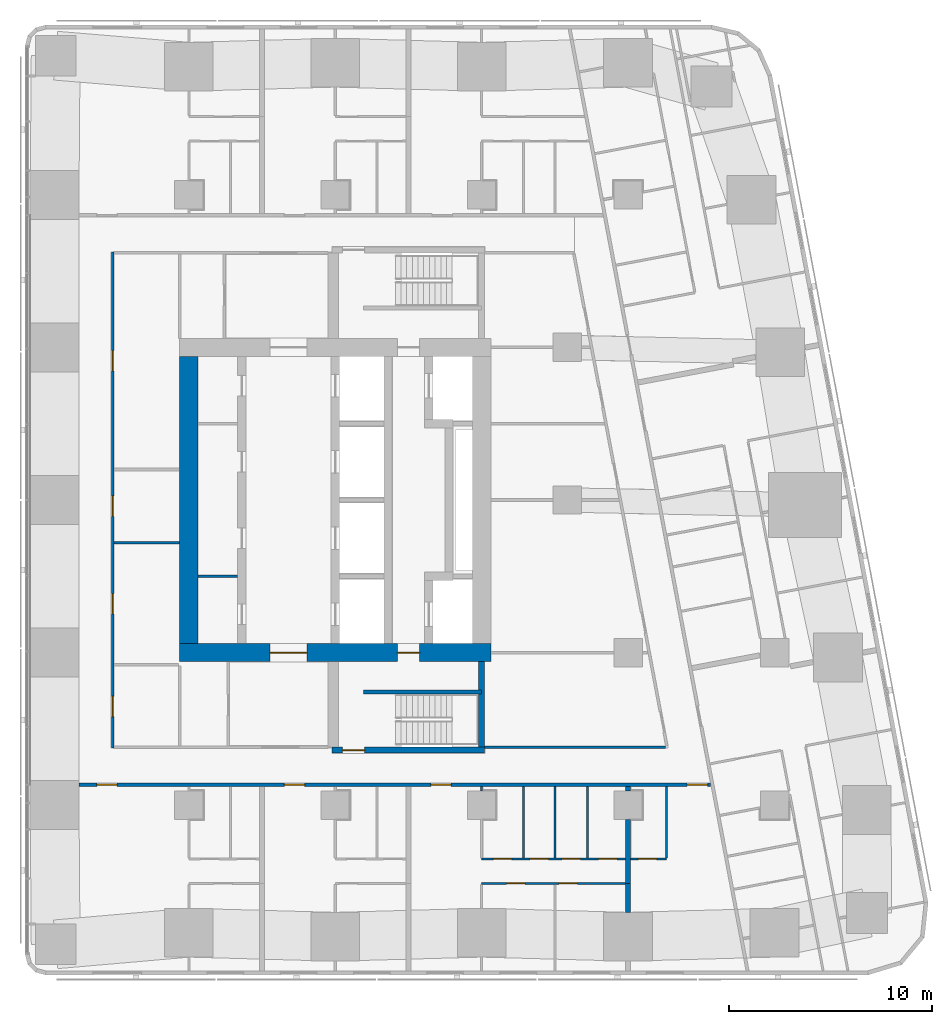
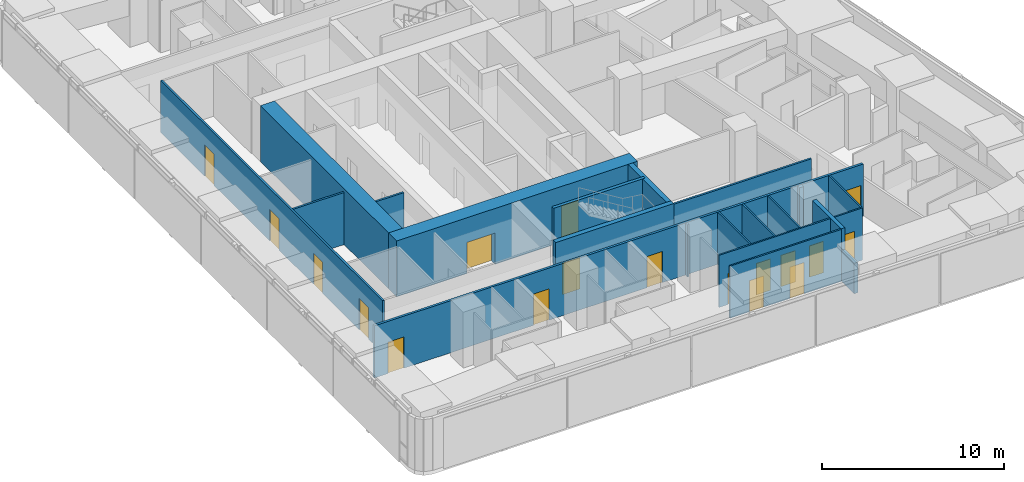
# One storey, part 8 of 17: 21 walls, 18 doors, 18 openings.
"""IFC4 building model written with IfcOpenShell, lengths in metres."""

from ifc_helpers import new_model, si_unit, direction, frame, frame_2d, origin, place, context, subcontext, project, spatial, rectangle, extrude, material, layer, layer_set, type_object, element, fill, save


model = new_model("IFC4")

# Units and contexts
model_context = context("Model", 3, precision=1e-05, world=origin(), true_north=direction((0.0, 1.0)))
body_context = subcontext(model_context, "Body", "Model", "MODEL_VIEW")
ifc_project = project(units=[si_unit("LENGTHUNIT", "METRE"), si_unit("AREAUNIT", "SQUARE_METRE"), si_unit("VOLUMEUNIT", "CUBIC_METRE"), si_unit("PLANEANGLEUNIT", "RADIAN"), si_unit("MASSUNIT", "GRAM", prefix="KILO")], contexts=[model_context])

# Site, building, storey
site_placement = place(None, origin())
site = spatial("IfcSite", under=ifc_project, at=site_placement, CompositionType="ELEMENT")
building_placement = place(site_placement, origin())
building = spatial("IfcBuilding", under=site, at=building_placement, Name="Sheger Commons Tower", CompositionType="ELEMENT")
storey_placement = place(building_placement, frame((0.0, 0.0, 212.449951171875)))
storey = spatial("IfcBuildingStorey", under=building, at=storey_placement, Name="L54", CompositionType="ELEMENT", Elevation=212.449951171875)

# Wall, openings, doors
ifc_material_1 = material(Name="Concrete C50/60", Category="concrete")
ifc_layer_1 = layer(ifc_material_1, 0.89990234375)
ifc_layer_set_1 = layer_set([ifc_layer_1], Name="CORE WALL 900")
wall_type_1 = type_object("IfcWallType", Name="CORE WALL 900", PredefinedType="SHEAR", material=ifc_layer_set_1)
wall_1_placement = place(storey_placement, frame((13.949951171875, 15.0, 0.0), z_axis=(0.0, 0.0, 1.0), x_axis=(1.0, 0.0, 0.0)))
wall_1 = element("IfcWall", 1, at=wall_1_placement, inside=storey, type_object=wall_type_1, Name="Core wall south L54", PredefinedType="SHEAR", context=body_context, shape_type="SweptSolid", body=[
    extrude(rectangle(XDim=15.300048828125, YDim=0.89990234375, at=frame_2d((7.64990234375, 0.0))), origin(), (0.0, 0.0, 1.0), 3.75),
])
opening_1_placement = place(wall_1_placement, frame((4.449951171875, 0.0, 0.0)))
opening_1 = element("IfcOpeningElement", 2, at=opening_1_placement, cuts=wall_1, Name="Opening D6", PredefinedType="OPENING", context=body_context, shape_type="SweptSolid", body=[
    extrude(rectangle(XDim=1.800048828125, YDim=2.10009765625, at=frame_2d((0.89990234375, 1.050048828125))), frame((0.0, 0.4599609375, 0.0), z_axis=(0.0, -1.0, 0.0), x_axis=(1.0, 0.0, 0.0)), (0.0, 0.0, 1.0), 0.919921875),
])
opening_2_placement = place(wall_1_placement, frame((10.699951171875, 0.0, 0.0)))
opening_2 = element("IfcOpeningElement", 3, at=opening_2_placement, cuts=wall_1, Name="Opening D5", PredefinedType="OPENING", context=body_context, shape_type="SweptSolid", body=[
    extrude(rectangle(XDim=1.10009765625, YDim=2.10009765625, at=frame_2d((0.550048828125, 1.050048828125))), frame((0.0, 0.4599609375, 0.0), z_axis=(0.0, -1.0, 0.0), x_axis=(1.0, 0.0, 0.0)), (0.0, 0.0, 1.0), 0.919921875),
])
ifc_material_2 = material(Name="Steel door set, fire rated", Category="steel")
door_type_1 = type_object("IfcDoorType", Name="LOBBY DOUBLE DOOR 1800x2100", OperationType="DOUBLE_DOOR_SINGLE_SWING", PredefinedType="DOOR", material=ifc_material_2)
door_1_placement = place(opening_1_placement, origin())
door_1 = element("IfcDoor", 4, at=door_1_placement, inside=storey, type_object=door_type_1, Name="Lift lobby door", OperationType="DOUBLE_DOOR_SINGLE_SWING", OverallHeight=2.10009765625, OverallWidth=1.800048828125, PredefinedType="DOOR", context=body_context, shape_type="SweptSolid", body=[
    extrude(rectangle(XDim=1.800048828125, YDim=2.10009765625, at=frame_2d((0.89990234375, 1.050048828125))), frame((0.0, 0.02490234375, 0.0), z_axis=(0.0, -1.0, 0.0), x_axis=(1.0, 0.0, 0.0)), (0.0, 0.0, 1.0), 0.050048828125),
])
fill(opening_1, door_1)
ifc_material_3 = material(Name="Steel door set, fire rated", Category="steel")
door_type_2 = type_object("IfcDoorType", Name="STAIR DOOR 1100x2100", OperationType="NOTDEFINED", PredefinedType="DOOR", material=ifc_material_3)
door_2_placement = place(opening_2_placement, origin())
door_2 = element("IfcDoor", 5, at=door_2_placement, inside=storey, type_object=door_type_2, Name="Fire-fighting lobby door", OperationType="SINGLE_SWING_LEFT", OverallHeight=2.10009765625, OverallWidth=1.10009765625, PredefinedType="DOOR", context=body_context, shape_type="SweptSolid", body=[
    extrude(rectangle(XDim=1.10009765625, YDim=2.10009765625, at=frame_2d((0.550048828125, 1.050048828125))), frame((0.0, 0.02490234375, 0.0), z_axis=(0.0, -1.0, 0.0), x_axis=(1.0, 0.0, 0.0)), (0.0, 0.0, 1.0), 0.050048828125),
])
fill(opening_2, door_2)

# Wall
wall_2_placement = place(storey_placement, frame((14.39990234375, 15.449951171875, 0.0), z_axis=(0.0, 0.0, 1.0), x_axis=(0.0, 1.0, 0.0)))
element("IfcWall", 6, at=wall_2_placement, inside=storey, type_object=wall_type_1, Name="Core wall west L54", PredefinedType="SHEAR", context=body_context, shape_type="SweptSolid", body=[
    extrude(rectangle(XDim=14.10009765625, YDim=0.89990234375, at=frame_2d((7.050048828125, 0.0))), origin(), (0.0, 0.0, 1.0), 3.75),
])

# Wall, openings, doors
ifc_material_4 = material(Name="Hollow concrete block masonry, skimmed both sides", Category="masonry")
ifc_layer_2 = layer(ifc_material_4, 0.14990234375)
ifc_layer_set_2 = layer_set([ifc_layer_2], Name="CORRIDOR WALL 150")
wall_type_2 = type_object("IfcWallType", Name="CORRIDOR WALL 150", PredefinedType="SOLIDWALL", material=ifc_layer_set_2)
wall_3_placement = place(storey_placement, frame((40.052978515625, 8.5, 0.0), z_axis=(0.0, 0.0, 1.0), x_axis=(-1.0, 0.0, 0.0)))
wall_3 = element("IfcWall", 7, at=wall_3_placement, inside=storey, type_object=wall_type_2, Name="Corridor wall L54", PredefinedType="SOLIDWALL", context=body_context, shape_type="SweptSolid", body=[
    extrude(rectangle(XDim=31.052001953125, YDim=0.14990234375, at=frame_2d((15.52587890625, 0.0))), origin(), (0.0, 0.0, 1.0), 3.5),
])
opening_3_placement = place(wall_3_placement, frame((29.177978515625, 0.0, 0.0)))
opening_3 = element("IfcOpeningElement", 8, at=opening_3_placement, cuts=wall_3, Name="Opening D1", PredefinedType="OPENING", context=body_context, shape_type="SweptSolid", body=[
    extrude(rectangle(XDim=1.0, YDim=2.10009765625, at=frame_2d((0.5, 1.050048828125))), frame((0.0, 0.0849609375, 0.0), z_axis=(0.0, -1.0, 0.0), x_axis=(1.0, 0.0, 0.0)), (0.0, 0.0, 1.0), 0.169921875),
])
opening_4_placement = place(wall_3_placement, frame((19.952880859375, 0.0, 0.0)))
opening_4 = element("IfcOpeningElement", 9, at=opening_4_placement, cuts=wall_3, Name="Opening D1", PredefinedType="OPENING", context=body_context, shape_type="SweptSolid", body=[
    extrude(rectangle(XDim=1.0, YDim=2.10009765625, at=frame_2d((0.5, 1.050048828125))), frame((0.0, 0.0849609375, 0.0), z_axis=(0.0, -1.0, 0.0), x_axis=(1.0, 0.0, 0.0)), (0.0, 0.0, 1.0), 0.169921875),
])
opening_5_placement = place(wall_3_placement, frame((12.7529296875, 0.0, 0.0)))
opening_5 = element("IfcOpeningElement", 10, at=opening_5_placement, cuts=wall_3, Name="Opening D1", PredefinedType="OPENING", context=body_context, shape_type="SweptSolid", body=[
    extrude(rectangle(XDim=1.0, YDim=2.10009765625, at=frame_2d((0.5, 1.050048828125))), frame((0.0, 0.0849609375, 0.0), z_axis=(0.0, -1.0, 0.0), x_axis=(1.0, 0.0, 0.0)), (0.0, 0.0, 1.0), 0.169921875),
])
opening_6_placement = place(wall_3_placement, frame((0.14990234375, 0.0, 0.0)))
opening_6 = element("IfcOpeningElement", 11, at=opening_6_placement, cuts=wall_3, Name="Opening D1", PredefinedType="OPENING", context=body_context, shape_type="SweptSolid", body=[
    extrude(rectangle(XDim=1.0, YDim=2.10009765625, at=frame_2d((0.5, 1.050048828125))), frame((0.0, 0.0849609375, 0.0), z_axis=(0.0, -1.0, 0.0), x_axis=(1.0, 0.0, 0.0)), (0.0, 0.0, 1.0), 0.169921875),
])
ifc_material_5 = material(Name="Steel door set, fire rated", Category="steel")
door_type_3 = type_object("IfcDoorType", Name="FLAT ENTRANCE DOOR 1000x2100", OperationType="NOTDEFINED", PredefinedType="DOOR", material=ifc_material_5)
door_3_placement = place(opening_3_placement, origin())
door_3 = element("IfcDoor", 12, at=door_3_placement, inside=storey, type_object=door_type_3, Name="Flat entrance door", OperationType="SINGLE_SWING_RIGHT", OverallHeight=2.10009765625, OverallWidth=1.0, PredefinedType="DOOR", context=body_context, shape_type="SweptSolid", body=[
    extrude(rectangle(XDim=1.0, YDim=2.10009765625, at=frame_2d((0.5, 1.050048828125))), frame((0.0, 0.02490234375, 0.0), z_axis=(0.0, -1.0, 0.0), x_axis=(1.0, 0.0, 0.0)), (0.0, 0.0, 1.0), 0.050048828125),
])
fill(opening_3, door_3)
door_4_placement = place(opening_4_placement, origin())
door_4 = element("IfcDoor", 13, at=door_4_placement, inside=storey, type_object=door_type_3, Name="Flat entrance door", OperationType="SINGLE_SWING_RIGHT", OverallHeight=2.10009765625, OverallWidth=1.0, PredefinedType="DOOR", context=body_context, shape_type="SweptSolid", body=[
    extrude(rectangle(XDim=1.0, YDim=2.10009765625, at=frame_2d((0.5, 1.050048828125))), frame((0.0, 0.02490234375, 0.0), z_axis=(0.0, -1.0, 0.0), x_axis=(1.0, 0.0, 0.0)), (0.0, 0.0, 1.0), 0.050048828125),
])
fill(opening_4, door_4)
door_5_placement = place(opening_5_placement, origin())
door_5 = element("IfcDoor", 14, at=door_5_placement, inside=storey, type_object=door_type_3, Name="Flat entrance door", OperationType="SINGLE_SWING_RIGHT", OverallHeight=2.10009765625, OverallWidth=1.0, PredefinedType="DOOR", context=body_context, shape_type="SweptSolid", body=[
    extrude(rectangle(XDim=1.0, YDim=2.10009765625, at=frame_2d((0.5, 1.050048828125))), frame((0.0, 0.02490234375, 0.0), z_axis=(0.0, -1.0, 0.0), x_axis=(1.0, 0.0, 0.0)), (0.0, 0.0, 1.0), 0.050048828125),
])
fill(opening_5, door_5)
door_6_placement = place(opening_6_placement, origin())
door_6 = element("IfcDoor", 15, at=door_6_placement, inside=storey, type_object=door_type_3, Name="Flat entrance door", OperationType="SINGLE_SWING_LEFT", OverallHeight=2.10009765625, OverallWidth=1.0, PredefinedType="DOOR", context=body_context, shape_type="SweptSolid", body=[
    extrude(rectangle(XDim=1.0, YDim=2.10009765625, at=frame_2d((0.5, 1.050048828125))), frame((0.0, 0.02490234375, 0.0), z_axis=(0.0, -1.0, 0.0), x_axis=(1.0, 0.0, 0.0)), (0.0, 0.0, 1.0), 0.050048828125),
])
fill(opening_6, door_6)

# Walls
ifc_material_6 = material(Name="Dense concrete block masonry, plastered both sides (separating wall between flats)", Category="masonry")
ifc_layer_3 = layer(ifc_material_6, 0.25)
ifc_layer_set_3 = layer_set([ifc_layer_3], Name="DEMISING WALL 250")
wall_type_3 = type_object("IfcWallType", Name="DEMISING WALL 250", PredefinedType="SOLIDWALL", material=ifc_layer_set_3)
wall_4_placement = place(storey_placement, frame((36.0, 2.22607421875, 0.0), z_axis=(0.0, 0.0, 1.0), x_axis=(0.0, 1.0, 0.0)))
element("IfcWall", 16, at=wall_4_placement, inside=storey, type_object=wall_type_3, Name="Demising wall L54", PredefinedType="SOLIDWALL", context=body_context, shape_type="SweptSolid", body=[
    extrude(rectangle(XDim=1.423828125, YDim=0.25, at=frame_2d((0.7119140625, 0.0))), origin(), (0.0, 0.0, 1.0), 2.050048828125),
])
wall_5_placement = place(storey_placement, frame((36.0, 3.64990234375, 0.0), z_axis=(0.0, 0.0, 1.0), x_axis=(0.0, 1.0, 0.0)))
element("IfcWall", 17, at=wall_5_placement, inside=storey, type_object=wall_type_3, Name="Demising wall L54", PredefinedType="SOLIDWALL", context=body_context, shape_type="SweptSolid", body=[
    extrude(rectangle(XDim=3.149169921875, YDim=0.25, at=frame_2d((1.57470703125, 0.0))), origin(), (0.0, 0.0, 1.0), 3.5),
])
wall_6_placement = place(storey_placement, frame((36.0, 8.200927734375, 0.0), z_axis=(0.0, 0.0, 1.0), x_axis=(0.0, 1.0, 0.0)))
element("IfcWall", 18, at=wall_6_placement, inside=storey, type_object=wall_type_3, Name="Demising wall L54", PredefinedType="SOLIDWALL", context=body_context, shape_type="SweptSolid", body=[
    extrude(rectangle(XDim=0.22412109375, YDim=0.25, at=frame_2d((0.112060546875, 0.0))), origin(), (0.0, 0.0, 1.0), 3.5),
])

# Wall, openings, doors
ifc_material_7 = material(Name="Gypsum board on steel studs", Category="steel")
ifc_layer_4 = layer(ifc_material_7, 0.10009765625)
ifc_layer_set_4 = layer_set([ifc_layer_4], Name="PARTITION 100")
wall_type_4 = type_object("IfcWallType", Name="PARTITION 100", PredefinedType="PARTITIONING", material=ifc_layer_set_4)
wall_7_placement = place(storey_placement, frame((35.875, 3.64990234375, 0.0), z_axis=(0.0, 0.0, 1.0), x_axis=(-1.0, 0.0, 0.0)))
wall_7 = element("IfcWall", 19, at=wall_7_placement, inside=storey, type_object=wall_type_4, Name="Partition L54", PredefinedType="PARTITIONING", context=body_context, shape_type="SweptSolid", body=[
    extrude(rectangle(XDim=7.074951171875, YDim=0.10009765625, at=frame_2d((3.53759765625, 0.0))), origin(), (0.0, 0.0, 1.0), 3.5),
])
opening_7_placement = place(wall_7_placement, frame((4.949951171875, 0.0, 0.0)))
opening_7 = element("IfcOpeningElement", 20, at=opening_7_placement, cuts=wall_7, Name="Opening D2", PredefinedType="OPENING", context=body_context, shape_type="SweptSolid", body=[
    extrude(rectangle(XDim=0.89990234375, YDim=2.10009765625, at=frame_2d((0.449951171875, 1.050048828125))), frame((0.0, 0.06005859375, 0.0), z_axis=(0.0, -1.0, 0.0), x_axis=(1.0, 0.0, 0.0)), (0.0, 0.0, 1.0), 0.1201171875),
])
opening_8_placement = place(wall_7_placement, frame((2.375, 0.0, 0.0)))
opening_8 = element("IfcOpeningElement", 21, at=opening_8_placement, cuts=wall_7, Name="Opening D2", PredefinedType="OPENING", context=body_context, shape_type="SweptSolid", body=[
    extrude(rectangle(XDim=0.89990234375, YDim=2.10009765625, at=frame_2d((0.449951171875, 1.050048828125))), frame((0.0, 0.06005859375, 0.0), z_axis=(0.0, -1.0, 0.0), x_axis=(1.0, 0.0, 0.0)), (0.0, 0.0, 1.0), 0.1201171875),
])
ifc_material_8 = material(Name="Timber door set", Category="wood")
door_type_4 = type_object("IfcDoorType", Name="INTERNAL DOOR 900x2100", OperationType="NOTDEFINED", PredefinedType="DOOR", material=ifc_material_8)
door_7_placement = place(opening_7_placement, origin())
door_7 = element("IfcDoor", 22, at=door_7_placement, inside=storey, type_object=door_type_4, Name="Main bedroom door", OperationType="SINGLE_SWING_RIGHT", OverallHeight=2.10009765625, OverallWidth=0.89990234375, PredefinedType="DOOR", context=body_context, shape_type="SweptSolid", body=[
    extrude(rectangle(XDim=0.89990234375, YDim=2.10009765625, at=frame_2d((0.449951171875, 1.050048828125))), frame((0.0, 0.02490234375, 0.0), z_axis=(0.0, -1.0, 0.0), x_axis=(1.0, 0.0, 0.0)), (0.0, 0.0, 1.0), 0.050048828125),
])
fill(opening_7, door_7)
door_8_placement = place(opening_8_placement, origin())
door_8 = element("IfcDoor", 23, at=door_8_placement, inside=storey, type_object=door_type_4, Name="Bedroom 2 door", OperationType="SINGLE_SWING_RIGHT", OverallHeight=2.10009765625, OverallWidth=0.89990234375, PredefinedType="DOOR", context=body_context, shape_type="SweptSolid", body=[
    extrude(rectangle(XDim=0.89990234375, YDim=2.10009765625, at=frame_2d((0.449951171875, 1.050048828125))), frame((0.0, 0.02490234375, 0.0), z_axis=(0.0, -1.0, 0.0), x_axis=(1.0, 0.0, 0.0)), (0.0, 0.0, 1.0), 0.050048828125),
])
fill(opening_8, door_8)

wall_8_placement = place(storey_placement, frame((35.875, 4.85009765625, 0.0), z_axis=(0.0, 0.0, 1.0), x_axis=(-1.0, 0.0, 0.0)))
wall_8 = element("IfcWall", 24, at=wall_8_placement, inside=storey, type_object=wall_type_4, Name="Partition L54", PredefinedType="PARTITIONING", context=body_context, shape_type="SweptSolid", body=[
    extrude(rectangle(XDim=7.074951171875, YDim=0.10009765625, at=frame_2d((3.53759765625, 0.0))), origin(), (0.0, 0.0, 1.0), 3.5),
])
opening_9_placement = place(wall_8_placement, frame((5.60009765625, 0.0, 0.0)))
opening_9 = element("IfcOpeningElement", 25, at=opening_9_placement, cuts=wall_8, Name="Opening D2", PredefinedType="OPENING", context=body_context, shape_type="SweptSolid", body=[
    extrude(rectangle(XDim=0.89990234375, YDim=2.10009765625, at=frame_2d((0.449951171875, 1.050048828125))), frame((0.0, 0.06005859375, 0.0), z_axis=(0.0, -1.0, 0.0), x_axis=(1.0, 0.0, 0.0)), (0.0, 0.0, 1.0), 0.1201171875),
])
opening_10_placement = place(wall_8_placement, frame((2.22509765625, 0.0, 0.0)))
opening_10 = element("IfcOpeningElement", 26, at=opening_10_placement, cuts=wall_8, Name="Opening D2", PredefinedType="OPENING", context=body_context, shape_type="SweptSolid", body=[
    extrude(rectangle(XDim=0.89990234375, YDim=2.10009765625, at=frame_2d((0.449951171875, 1.050048828125))), frame((0.0, 0.06005859375, 0.0), z_axis=(0.0, -1.0, 0.0), x_axis=(1.0, 0.0, 0.0)), (0.0, 0.0, 1.0), 0.1201171875),
])
opening_11_placement = place(wall_8_placement, frame((3.800048828125, 0.0, 0.0)))
opening_11 = element("IfcOpeningElement", 27, at=opening_11_placement, cuts=wall_8, Name="Opening D2", PredefinedType="OPENING", context=body_context, shape_type="SweptSolid", body=[
    extrude(rectangle(XDim=0.89990234375, YDim=2.10009765625, at=frame_2d((0.449951171875, 1.050048828125))), frame((0.0, 0.06005859375, 0.0), z_axis=(0.0, -1.0, 0.0), x_axis=(1.0, 0.0, 0.0)), (0.0, 0.0, 1.0), 0.1201171875),
])
opening_12_placement = place(wall_8_placement, frame((0.425048828125, 0.0, 0.0)))
opening_12 = element("IfcOpeningElement", 28, at=opening_12_placement, cuts=wall_8, Name="Opening D2", PredefinedType="OPENING", context=body_context, shape_type="SweptSolid", body=[
    extrude(rectangle(XDim=0.89990234375, YDim=2.10009765625, at=frame_2d((0.449951171875, 1.050048828125))), frame((0.0, 0.06005859375, 0.0), z_axis=(0.0, -1.0, 0.0), x_axis=(1.0, 0.0, 0.0)), (0.0, 0.0, 1.0), 0.1201171875),
])
door_9_placement = place(opening_9_placement, origin())
door_9 = element("IfcDoor", 29, at=door_9_placement, inside=storey, type_object=door_type_4, Name="Bathroom door", OperationType="SINGLE_SWING_LEFT", OverallHeight=2.10009765625, OverallWidth=0.89990234375, PredefinedType="DOOR", context=body_context, shape_type="SweptSolid", body=[
    extrude(rectangle(XDim=0.89990234375, YDim=2.10009765625, at=frame_2d((0.449951171875, 1.050048828125))), frame((0.0, 0.02490234375, 0.0), z_axis=(0.0, -1.0, 0.0), x_axis=(1.0, 0.0, 0.0)), (0.0, 0.0, 1.0), 0.050048828125),
])
fill(opening_9, door_9)
door_10_placement = place(opening_10_placement, origin())
door_10 = element("IfcDoor", 30, at=door_10_placement, inside=storey, type_object=door_type_4, Name="Shower room door", OperationType="SINGLE_SWING_LEFT", OverallHeight=2.10009765625, OverallWidth=0.89990234375, PredefinedType="DOOR", context=body_context, shape_type="SweptSolid", body=[
    extrude(rectangle(XDim=0.89990234375, YDim=2.10009765625, at=frame_2d((0.449951171875, 1.050048828125))), frame((0.0, 0.02490234375, 0.0), z_axis=(0.0, -1.0, 0.0), x_axis=(1.0, 0.0, 0.0)), (0.0, 0.0, 1.0), 0.050048828125),
])
fill(opening_10, door_10)
door_11_placement = place(opening_11_placement, origin())
door_11 = element("IfcDoor", 31, at=door_11_placement, inside=storey, type_object=door_type_4, Name="Store door", OperationType="SINGLE_SWING_LEFT", OverallHeight=2.10009765625, OverallWidth=0.89990234375, PredefinedType="DOOR", context=body_context, shape_type="SweptSolid", body=[
    extrude(rectangle(XDim=0.89990234375, YDim=2.10009765625, at=frame_2d((0.449951171875, 1.050048828125))), frame((0.0, 0.02490234375, 0.0), z_axis=(0.0, -1.0, 0.0), x_axis=(1.0, 0.0, 0.0)), (0.0, 0.0, 1.0), 0.050048828125),
])
fill(opening_11, door_11)
door_12_placement = place(opening_12_placement, origin())
door_12 = element("IfcDoor", 32, at=door_12_placement, inside=storey, type_object=door_type_4, Name="Store door", OperationType="SINGLE_SWING_RIGHT", OverallHeight=2.10009765625, OverallWidth=0.89990234375, PredefinedType="DOOR", context=body_context, shape_type="SweptSolid", body=[
    extrude(rectangle(XDim=0.89990234375, YDim=2.10009765625, at=frame_2d((0.449951171875, 1.050048828125))), frame((0.0, 0.02490234375, 0.0), z_axis=(0.0, -1.0, 0.0), x_axis=(1.0, 0.0, 0.0)), (0.0, 0.0, 1.0), 0.050048828125),
])
fill(opening_12, door_12)

# Walls
wall_9_placement = place(storey_placement, frame((28.800048828125, 8.200927734375, 0.0), z_axis=(0.0, 0.0, 1.0), x_axis=(0.0, 1.0, 0.0)))
element("IfcWall", 33, at=wall_9_placement, inside=storey, type_object=wall_type_4, Name="Partition L54", PredefinedType="PARTITIONING", context=body_context, shape_type="SweptSolid", body=[
    extrude(rectangle(XDim=0.22412109375, YDim=0.10009765625, at=frame_2d((0.112060546875, 0.0))), origin(), (0.0, 0.0, 1.0), 3.5),
])
for number, where, z_axis, x_axis, name in (
    (34, (32.39990234375, 4.89990234375, 0.0), (0.0, 0.0, 1.0), (0.0, 1.0, 0.0), "Partition L54"),
    (35, (30.85009765625, 4.89990234375, 0.0), (0.0, 0.0, 1.0), (0.0, 1.0, 0.0), "Partition L54"),
    (36, (34.0, 4.89990234375, 0.0), (0.0, 0.0, 1.0), (0.0, 1.0, 0.0), "Partition L54"),
):
    element("IfcWall", number, at=place(storey_placement, frame(where, z_axis=z_axis, x_axis=x_axis)), inside=storey, type_object=wall_type_4, Name=name, PredefinedType="PARTITIONING", context=body_context, shape_type="SweptSolid", body=[
        extrude(rectangle(XDim=3.525146484375, YDim=0.10009765625, at=frame_2d((1.7626953125, 0.0))), origin(), (0.0, 0.0, 1.0), 3.5),
    ])

# Wall, opening, door
wall_10_placement = place(storey_placement, frame((37.889892578125, 4.85009765625, 0.0), z_axis=(0.0, 0.0, 1.0), x_axis=(-1.0, 0.0, 0.0)))
wall_10 = element("IfcWall", 37, at=wall_10_placement, inside=storey, type_object=wall_type_4, Name="Partition L54", PredefinedType="PARTITIONING", context=body_context, shape_type="SweptSolid", body=[
    extrude(rectangle(XDim=1.764892578125, YDim=0.10009765625, at=frame_2d((0.88232421875, 0.0))), origin(), (0.0, 0.0, 1.0), 3.5),
])
opening_13_placement = place(wall_10_placement, frame((0.489990234375, 0.0, 0.0)))
opening_13 = element("IfcOpeningElement", 38, at=opening_13_placement, cuts=wall_10, Name="Opening D2", PredefinedType="OPENING", context=body_context, shape_type="SweptSolid", body=[
    extrude(rectangle(XDim=0.89990234375, YDim=2.10009765625, at=frame_2d((0.449951171875, 1.050048828125))), frame((0.0, 0.06005859375, 0.0), z_axis=(0.0, -1.0, 0.0), x_axis=(1.0, 0.0, 0.0)), (0.0, 0.0, 1.0), 0.1201171875),
])
door_13_placement = place(opening_13_placement, origin())
door_13 = element("IfcDoor", 39, at=door_13_placement, inside=storey, type_object=door_type_4, Name="Shower room door", OperationType="SINGLE_SWING_LEFT", OverallHeight=2.10009765625, OverallWidth=0.89990234375, PredefinedType="DOOR", context=body_context, shape_type="SweptSolid", body=[
    extrude(rectangle(XDim=0.89990234375, YDim=2.10009765625, at=frame_2d((0.449951171875, 1.050048828125))), frame((0.0, 0.02490234375, 0.0), z_axis=(0.0, -1.0, 0.0), x_axis=(1.0, 0.0, 0.0)), (0.0, 0.0, 1.0), 0.050048828125),
])
fill(opening_13, door_13)

# Wall
wall_11_placement = place(storey_placement, frame((37.889892578125, 4.89990234375, 0.0), z_axis=(0.0, 0.0, 1.0), x_axis=(0.0, 1.0, 0.0)))
element("IfcWall", 40, at=wall_11_placement, inside=storey, type_object=wall_type_4, Name="Partition L54", PredefinedType="PARTITIONING", context=body_context, shape_type="SweptSolid", body=[
    extrude(rectangle(XDim=3.525146484375, YDim=0.10009765625, at=frame_2d((1.7626953125, 0.0))), origin(), (0.0, 0.0, 1.0), 3.5),
])

# Wall, openings, doors
ifc_material_9 = material(Name="Gypsum board on steel studs, two layers each side, fire rated", Category="steel")
ifc_layer_5 = layer(ifc_material_9, 0.125)
ifc_layer_set_5 = layer_set([ifc_layer_5], Name="SERVICE WALL 125")
wall_type_5 = type_object("IfcWallType", Name="SERVICE WALL 125", PredefinedType="PARTITIONING", material=ifc_layer_set_5)
wall_12_placement = place(storey_placement, frame((10.64990234375, 10.300048828125, 0.0), z_axis=(0.0, 0.0, 1.0), x_axis=(0.0, 1.0, 0.0)))
wall_12 = element("IfcWall", 41, at=wall_12_placement, inside=storey, type_object=wall_type_5, Name="Service room wall L54", PredefinedType="PARTITIONING", context=body_context, shape_type="SweptSolid", body=[
    extrude(rectangle(XDim=24.39990234375, YDim=0.125, at=frame_2d((12.199951171875, 0.0))), origin(), (0.0, 0.0, 1.0), 3.5),
])
opening_14_placement = place(wall_12_placement, frame((1.550048828125, 0.0, 0.0)))
opening_14 = element("IfcOpeningElement", 42, at=opening_14_placement, cuts=wall_12, Name="Opening D4", PredefinedType="OPENING", context=body_context, shape_type="SweptSolid", body=[
    extrude(rectangle(XDim=1.0, YDim=2.10009765625, at=frame_2d((0.5, 1.050048828125))), frame((0.0, 0.072509765625, 0.0), z_axis=(0.0, -1.0, 0.0), x_axis=(1.0, 0.0, 0.0)), (0.0, 0.0, 1.0), 0.14501953125),
])
opening_15_placement = place(wall_12_placement, frame((6.60009765625, 0.0, 0.0)))
opening_15 = element("IfcOpeningElement", 43, at=opening_15_placement, cuts=wall_12, Name="Opening D4", PredefinedType="OPENING", context=body_context, shape_type="SweptSolid", body=[
    extrude(rectangle(XDim=1.0, YDim=2.10009765625, at=frame_2d((0.5, 1.050048828125))), frame((0.0, 0.072509765625, 0.0), z_axis=(0.0, -1.0, 0.0), x_axis=(1.0, 0.0, 0.0)), (0.0, 0.0, 1.0), 0.14501953125),
])
opening_16_placement = place(wall_12_placement, frame((11.39990234375, 0.0, 0.0)))
opening_16 = element("IfcOpeningElement", 44, at=opening_16_placement, cuts=wall_12, Name="Opening D4", PredefinedType="OPENING", context=body_context, shape_type="SweptSolid", body=[
    extrude(rectangle(XDim=1.0, YDim=2.10009765625, at=frame_2d((0.5, 1.050048828125))), frame((0.0, 0.072509765625, 0.0), z_axis=(0.0, -1.0, 0.0), x_axis=(1.0, 0.0, 0.0)), (0.0, 0.0, 1.0), 0.14501953125),
])
opening_17_placement = place(wall_12_placement, frame((18.550048828125, 0.0, 0.0)))
opening_17 = element("IfcOpeningElement", 45, at=opening_17_placement, cuts=wall_12, Name="Opening D4", PredefinedType="OPENING", context=body_context, shape_type="SweptSolid", body=[
    extrude(rectangle(XDim=1.0, YDim=2.10009765625, at=frame_2d((0.5, 1.050048828125))), frame((0.0, 0.072509765625, 0.0), z_axis=(0.0, -1.0, 0.0), x_axis=(1.0, 0.0, 0.0)), (0.0, 0.0, 1.0), 0.14501953125),
])
ifc_material_10 = material(Name="Steel door set, fire rated", Category="steel")
door_type_5 = type_object("IfcDoorType", Name="SERVICE DOOR 1000x2100", OperationType="NOTDEFINED", PredefinedType="DOOR", material=ifc_material_10)
door_14_placement = place(opening_14_placement, origin())
door_14 = element("IfcDoor", 46, at=door_14_placement, inside=storey, type_object=door_type_5, Name="Refuse chute room door", OperationType="SINGLE_SWING_RIGHT", OverallHeight=2.10009765625, OverallWidth=1.0, PredefinedType="DOOR", context=body_context, shape_type="SweptSolid", body=[
    extrude(rectangle(XDim=1.0, YDim=2.10009765625, at=frame_2d((0.5, 1.050048828125))), frame((0.0, 0.02490234375, 0.0), z_axis=(0.0, -1.0, 0.0), x_axis=(1.0, 0.0, 0.0)), (0.0, 0.0, 1.0), 0.050048828125),
])
fill(opening_14, door_14)
door_15_placement = place(opening_15_placement, origin())
door_15 = element("IfcDoor", 47, at=door_15_placement, inside=storey, type_object=door_type_5, Name="Parcel and delivery room door", OperationType="SINGLE_SWING_RIGHT", OverallHeight=2.10009765625, OverallWidth=1.0, PredefinedType="DOOR", context=body_context, shape_type="SweptSolid", body=[
    extrude(rectangle(XDim=1.0, YDim=2.10009765625, at=frame_2d((0.5, 1.050048828125))), frame((0.0, 0.02490234375, 0.0), z_axis=(0.0, -1.0, 0.0), x_axis=(1.0, 0.0, 0.0)), (0.0, 0.0, 1.0), 0.050048828125),
])
fill(opening_15, door_15)
door_16_placement = place(opening_16_placement, origin())
door_16 = element("IfcDoor", 48, at=door_16_placement, inside=storey, type_object=door_type_5, Name="Cleaner's store door", OperationType="SINGLE_SWING_RIGHT", OverallHeight=2.10009765625, OverallWidth=1.0, PredefinedType="DOOR", context=body_context, shape_type="SweptSolid", body=[
    extrude(rectangle(XDim=1.0, YDim=2.10009765625, at=frame_2d((0.5, 1.050048828125))), frame((0.0, 0.02490234375, 0.0), z_axis=(0.0, -1.0, 0.0), x_axis=(1.0, 0.0, 0.0)), (0.0, 0.0, 1.0), 0.050048828125),
])
fill(opening_16, door_16)
door_17_placement = place(opening_17_placement, origin())
door_17 = element("IfcDoor", 49, at=door_17_placement, inside=storey, type_object=door_type_5, Name="Residents' gym door", OperationType="SINGLE_SWING_LEFT", OverallHeight=2.10009765625, OverallWidth=1.0, PredefinedType="DOOR", context=body_context, shape_type="SweptSolid", body=[
    extrude(rectangle(XDim=1.0, YDim=2.10009765625, at=frame_2d((0.5, 1.050048828125))), frame((0.0, 0.02490234375, 0.0), z_axis=(0.0, -1.0, 0.0), x_axis=(1.0, 0.0, 0.0)), (0.0, 0.0, 1.0), 0.050048828125),
])
fill(opening_17, door_17)

# Walls
wall_13_placement = place(storey_placement, frame((10.712890625, 20.39990234375, 0.0), z_axis=(0.0, 0.0, 1.0), x_axis=(1.0, 0.0, 0.0)))
element("IfcWall", 50, at=wall_13_placement, inside=storey, type_object=wall_type_5, Name="Service room wall L54", PredefinedType="PARTITIONING", context=body_context, shape_type="SweptSolid", body=[
    extrude(rectangle(XDim=3.237060546875, YDim=0.125, at=frame_2d((1.61865234375, 0.0))), origin(), (0.0, 0.0, 1.0), 3.5),
])
wall_14_placement = place(storey_placement, frame((28.949951171875, 10.35009765625, 0.0), z_axis=(0.0, 0.0, 1.0), x_axis=(1.0, 0.0, 0.0)))
element("IfcWall", 51, at=wall_14_placement, inside=storey, type_object=wall_type_5, Name="Service room wall L54", PredefinedType="PARTITIONING", context=body_context, shape_type="SweptSolid", body=[
    extrude(rectangle(XDim=8.885986328125, YDim=0.125, at=frame_2d((4.44287109375, 0.0))), origin(), (0.0, 0.0, 1.0), 3.5),
])
wall_15_placement = place(storey_placement, frame((14.85009765625, 18.75, 0.0), z_axis=(0.0, 0.0, 1.0), x_axis=(1.0, 0.0, 0.0)))
element("IfcWall", 52, at=wall_15_placement, inside=storey, type_object=wall_type_5, Name="Service room wall L54", PredefinedType="PARTITIONING", context=body_context, shape_type="SweptSolid", body=[
    extrude(rectangle(XDim=1.949951171875, YDim=0.125, at=frame_2d((0.97509765625, 0.0))), origin(), (0.0, 0.0, 1.0), 3.5),
])

# Wall, opening, door
ifc_material_11 = material(Name="Concrete C50/60", Category="concrete")
ifc_layer_6 = layer(ifc_material_11, 0.300048828125)
ifc_layer_set_6 = layer_set([ifc_layer_6], Name="STAIR CORE WALL 300")
wall_type_6 = type_object("IfcWallType", Name="STAIR CORE WALL 300", PredefinedType="SHEAR", material=ifc_layer_set_6)
wall_16_placement = place(storey_placement, frame((21.449951171875, 10.199951171875, 0.0), z_axis=(0.0, 0.0, 1.0), x_axis=(1.0, 0.0, 0.0)))
wall_16 = element("IfcWall", 53, at=wall_16_placement, inside=storey, type_object=wall_type_6, Name="STW-L54-S1S", PredefinedType="SHEAR", context=body_context, shape_type="SweptSolid", body=[
    extrude(rectangle(XDim=7.5, YDim=0.300048828125, at=frame_2d((3.75, 0.0))), origin(), (0.0, 0.0, 1.0), 3.75),
])
opening_18_placement = place(wall_16_placement, frame((0.5, 0.0, 0.0)))
opening_18 = element("IfcOpeningElement", 54, at=opening_18_placement, cuts=wall_16, Name="Opening D5", PredefinedType="OPENING", context=body_context, shape_type="SweptSolid", body=[
    extrude(rectangle(XDim=1.10009765625, YDim=2.10009765625, at=frame_2d((0.550048828125, 1.050048828125))), frame((0.0, 0.159912109375, 0.0), z_axis=(0.0, -1.0, 0.0), x_axis=(1.0, 0.0, 0.0)), (0.0, 0.0, 1.0), 0.320068359375),
])
door_18_placement = place(opening_18_placement, origin())
door_18 = element("IfcDoor", 55, at=door_18_placement, inside=storey, type_object=door_type_2, Name="Stair S1 door", OperationType="SINGLE_SWING_LEFT", OverallHeight=2.10009765625, OverallWidth=1.10009765625, PredefinedType="DOOR", context=body_context, shape_type="SweptSolid", body=[
    extrude(rectangle(XDim=1.10009765625, YDim=2.10009765625, at=frame_2d((0.550048828125, 1.050048828125))), frame((0.0, 0.02490234375, 0.0), z_axis=(0.0, -1.0, 0.0), x_axis=(1.0, 0.0, 0.0)), (0.0, 0.0, 1.0), 0.050048828125),
])
fill(opening_18, door_18)

# Walls
wall_17_placement = place(storey_placement, frame((28.800048828125, 10.35009765625, 0.0), z_axis=(0.0, 0.0, 1.0), x_axis=(0.0, 1.0, 0.0)))
element("IfcWall", 56, at=wall_17_placement, inside=storey, type_object=wall_type_6, Name="STW-L54-S1E", PredefinedType="SHEAR", context=body_context, shape_type="SweptSolid", body=[
    extrude(rectangle(XDim=4.199951171875, YDim=0.300048828125, at=frame_2d((2.10009765625, 0.0))), origin(), (0.0, 0.0, 1.0), 3.75),
])
ifc_material_12 = material(Name="Concrete C50/60", Category="concrete")
ifc_layer_7 = layer(ifc_material_12, 0.199951171875)
ifc_layer_set_7 = layer_set([ifc_layer_7], Name="STAIR SPINE WALL 200")
wall_type_7 = type_object("IfcWallType", Name="STAIR SPINE WALL 200", PredefinedType="SHEAR", material=ifc_layer_set_7)
wall_18_placement = place(storey_placement, frame((23.0, 13.050048828125, 0.0), z_axis=(0.0, 0.0, 1.0), x_axis=(1.0, 0.0, 0.0)))
element("IfcWall", 57, at=wall_18_placement, inside=storey, type_object=wall_type_7, Name="Stair spine wall L54", PredefinedType="SHEAR", context=body_context, shape_type="SweptSolid", body=[
    extrude(rectangle(XDim=5.800048828125, YDim=0.199951171875, at=frame_2d((2.89990234375, 0.0))), origin(), (0.0, 0.0, 1.0), 3.75),
])

save(model, "model.ifc")
